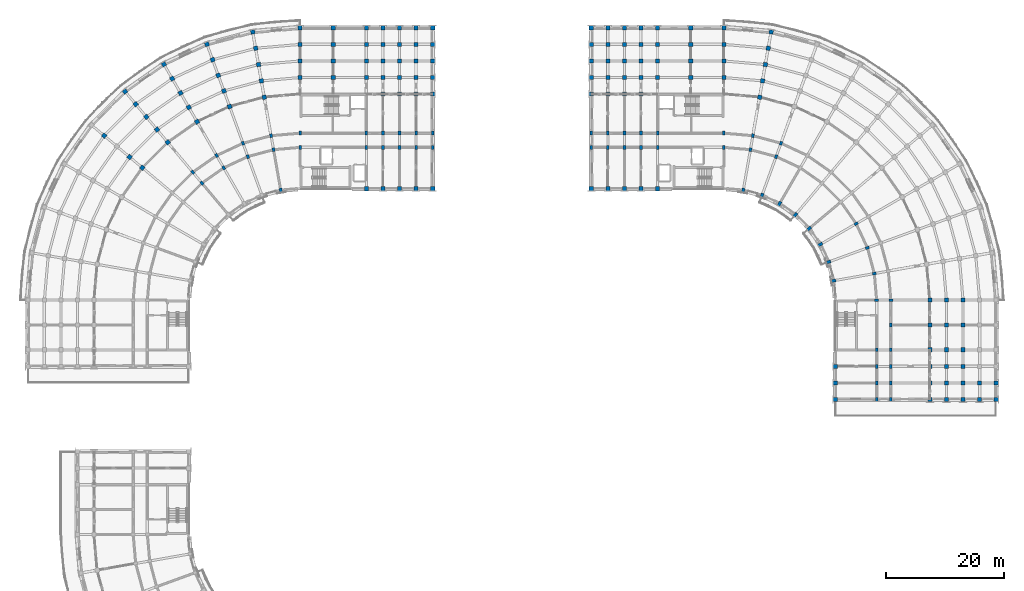
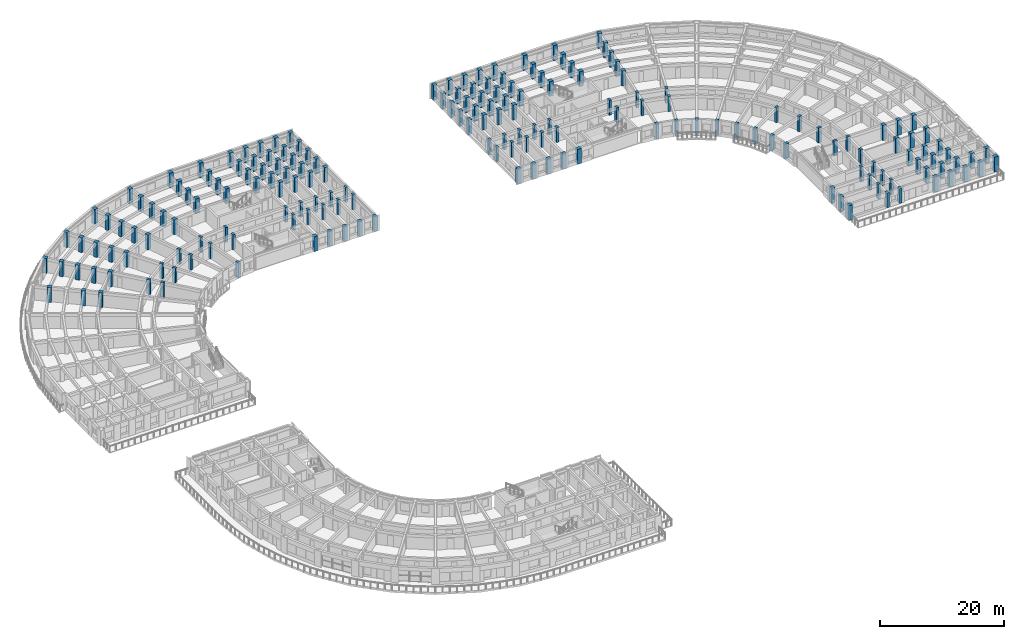
# One storey, part 2 of 54: 186 columns.
"""IFC4 building model written with IfcOpenShell, lengths in metres."""

from ifc_helpers import new_model, si_unit, direction, frame, origin, origin_2d, place, context, subcontext, project, spatial, rectangle, extrude, material, material_profile, profile_set, type_object, element, save


model = new_model("IFC4")

# Units and contexts
model_context = context("Model", 3, precision=1e-05, world=origin(), true_north=direction((0.0, 1.0)))
body_context = subcontext(model_context, "Body", "Model", "MODEL_VIEW")
ifc_project = project(units=[si_unit("LENGTHUNIT", "METRE"), si_unit("AREAUNIT", "SQUARE_METRE"), si_unit("VOLUMEUNIT", "CUBIC_METRE"), si_unit("PLANEANGLEUNIT", "RADIAN"), si_unit("MASSUNIT", "GRAM", prefix="KILO")], contexts=[model_context])

# Site, building, storey
site_placement = place(None, origin())
site = spatial("IfcSite", under=ifc_project, at=site_placement, CompositionType="ELEMENT")
building_placement = place(site_placement, origin())
building = spatial("IfcBuilding", under=site, at=building_placement, Name="Kiranvali Square Residences", CompositionType="ELEMENT")
storey_placement = place(building_placement, frame((0.0, 0.0, 27.60009765625)))
storey = spatial("IfcBuildingStorey", under=building, at=storey_placement, Name="L08", CompositionType="ELEMENT", Elevation=27.60009765625)

# Columns
ifc_material_1 = material(Name="Concrete M40 (40 MPa)", Category="concrete")
ifc_material_profile_1 = material_profile(ifc_material_1, rectangle(XDim=0.449951171875, YDim=0.64990234375, at=origin_2d()), Name="RC 650x450")
ifc_profile_set_1 = profile_set([ifc_material_profile_1], Name="Concrete M40 (40 MPa)")
column_type_1 = type_object("IfcColumnType", Name="COL-M40-650x450", PredefinedType="COLUMN", material=ifc_profile_set_1)
for number, where, z_axis, x_axis, name in (
    (1, (48.199951171875, 113.60009765625, 0.0), (0.0, 0.0, 1.0), (1.0, 0.0, 0.0), "Block A L08 radial column A00-R1"),
    (2, (48.199951171875, 116.0, 0.0), (0.0, 0.0, 1.0), (1.0, 0.0, 0.0), "Block A L08 radial column A00-R2"),
    (3, (43.719970703125, 113.2080078125, 0.0), (0.0, 0.0, 1.0), (0.984807753012, 0.173648177667, 0.0), "Block A L08 radial column A01-R1"),
    (4, (43.30322265625, 115.571533203125, 0.0), (0.0, 0.0, 1.0), (0.984807753012, 0.173648177667, 0.0), "Block A L08 radial column A01-R2"),
    (5, (39.3759765625, 112.044189453125, 0.0), (0.0, 0.0, 1.0), (0.939692620786, 0.342020143326, 0.0), "Block A L08 radial column A02-R1"),
    (6, (38.554931640625, 114.29931640625, 0.0), (0.0, 0.0, 1.0), (0.939692620786, 0.342020143326, 0.0), "Block A L08 radial column A02-R2"),
    (7, (35.300048828125, 110.1435546875, 0.0), (0.0, 0.0, 1.0), (0.866025403784, 0.5, 0.0), "Block A L08 radial column A03-R1"),
    (8, (34.10009765625, 112.221923828125, 0.0), (0.0, 0.0, 1.0), (0.866025403784, 0.5, 0.0), "Block A L08 radial column A03-R2"),
    (9, (31.615966796875, 107.56396484375, 0.0), (0.0, 0.0, 1.0), (0.766044443119, 0.642787609687, 0.0), "Block A L08 radial column A04-R1"),
    (10, (30.073486328125, 109.40234375, 0.0), (0.0, 0.0, 1.0), (0.766044443119, 0.642787609687, 0.0), "Block A L08 radial column A04-R2"),
    (11, (59.39990234375, 113.60009765625, 0.0), (0.0, 0.0, 1.0), (1.0, 0.0, 0.0), "Block A L08 Arm 1 column U1-R1"),
    (12, (59.39990234375, 116.0, 0.0), (0.0, 0.0, 1.0), (1.0, 0.0, 0.0), "Block A L08 Arm 1 column U1-R2"),
    (13, (62.199951171875, 113.60009765625, 0.0), (0.0, 0.0, 1.0), (1.0, 0.0, 0.0), "Block A L08 Arm 1 column U2-R1"),
    (14, (62.199951171875, 116.0, 0.0), (0.0, 0.0, 1.0), (1.0, 0.0, 0.0), "Block A L08 Arm 1 column U2-R2"),
    (15, (65.0, 113.60009765625, 0.0), (0.0, 0.0, 1.0), (1.0, 0.0, 0.0), "Block A L08 Arm 1 column U3-R1"),
    (16, (65.0, 116.0, 0.0), (0.0, 0.0, 1.0), (1.0, 0.0, 0.0), "Block A L08 Arm 1 column U3-R2"),
    (17, (67.800048828125, 113.60009765625, 0.0), (0.0, 0.0, 1.0), (1.0, 0.0, 0.0), "Block A L08 Arm 1 column U4-R1"),
    (18, (67.800048828125, 116.0, 0.0), (0.0, 0.0, 1.0), (1.0, 0.0, 0.0), "Block A L08 Arm 1 column U4-R2"),
    (19, (70.60009765625, 113.60009765625, 0.0), (0.0, 0.0, 1.0), (1.0, 0.0, 0.0), "Block A L08 Arm 1 column U5-R1"),
    (20, (70.60009765625, 116.0, 0.0), (0.0, 0.0, 1.0), (1.0, 0.0, 0.0), "Block A L08 Arm 1 column U5-R2"),
    (21, (119.800048828125, 113.60009765625, 0.0), (0.0, 0.0, 1.0), (1.0, 0.0, 0.0), "Block B L08 radial column A00-R1"),
    (22, (119.800048828125, 116.0, 0.0), (0.0, 0.0, 1.0), (1.0, 0.0, 0.0), "Block B L08 radial column A00-R2"),
    (23, (124.280029296875, 113.2080078125, 0.0), (0.0, 0.0, 1.0), (-0.984807753012, 0.173648177667, 0.0), "Block B L08 radial column A01-R1"),
    (24, (124.69677734375, 115.571533203125, 0.0), (0.0, 0.0, 1.0), (-0.984807753012, 0.173648177667, 0.0), "Block B L08 radial column A01-R2"),
    (25, (128.6240234375, 112.044189453125, 0.0), (0.0, 0.0, 1.0), (-0.939692620786, 0.342020143326, 0.0), "Block B L08 radial column A02-R1"),
    (26, (129.445068359375, 114.29931640625, 0.0), (0.0, 0.0, 1.0), (-0.939692620786, 0.342020143326, 0.0), "Block B L08 radial column A02-R2"),
    (27, (142.1435546875, 100.699951171875, 0.0), (0.0, 0.0, 1.0), (-0.5, 0.866025403784, 0.0), "Block B L08 radial column A06-R1"),
    (28, (144.044189453125, 96.6240234375, 0.0), (0.0, 0.0, 1.0), (-0.342020143326, 0.939692620786, 0.0), "Block B L08 radial column A07-R1"),
    (29, (145.2080078125, 92.280029296875, 0.0), (0.0, 0.0, 1.0), (-0.173648177667, 0.984807753012, 0.0), "Block B L08 radial column A08-R1"),
    (30, (145.60009765625, 87.800048828125, 0.0), (0.0, 0.0, 1.0), (0.0, 1.0, 0.0), "Block B L08 radial column A09-R1"),
    (31, (148.0, 87.800048828125, 0.0), (0.0, 0.0, 1.0), (0.0, 1.0, 0.0), "Block B L08 radial column A09-R2"),
    (32, (108.60009765625, 113.60009765625, 0.0), (0.0, 0.0, 1.0), (1.0, 0.0, 0.0), "Block B L08 Arm 1 column U1-R1"),
    (33, (108.60009765625, 116.0, 0.0), (0.0, 0.0, 1.0), (1.0, 0.0, 0.0), "Block B L08 Arm 1 column U1-R2"),
    (34, (105.800048828125, 113.60009765625, 0.0), (0.0, 0.0, 1.0), (1.0, 0.0, 0.0), "Block B L08 Arm 1 column U2-R1"),
    (35, (105.800048828125, 116.0, 0.0), (0.0, 0.0, 1.0), (1.0, 0.0, 0.0), "Block B L08 Arm 1 column U2-R2"),
    (36, (103.0, 113.60009765625, 0.0), (0.0, 0.0, 1.0), (1.0, 0.0, 0.0), "Block B L08 Arm 1 column U3-R1"),
    (37, (103.0, 116.0, 0.0), (0.0, 0.0, 1.0), (1.0, 0.0, 0.0), "Block B L08 Arm 1 column U3-R2"),
    (38, (100.199951171875, 113.60009765625, 0.0), (0.0, 0.0, 1.0), (1.0, 0.0, 0.0), "Block B L08 Arm 1 column U4-R1"),
    (39, (100.199951171875, 116.0, 0.0), (0.0, 0.0, 1.0), (1.0, 0.0, 0.0), "Block B L08 Arm 1 column U4-R2"),
    (40, (97.39990234375, 113.60009765625, 0.0), (0.0, 0.0, 1.0), (1.0, 0.0, 0.0), "Block B L08 Arm 1 column U5-R1"),
    (41, (97.39990234375, 116.0, 0.0), (0.0, 0.0, 1.0), (1.0, 0.0, 0.0), "Block B L08 Arm 1 column U5-R2"),
    (42, (148.0, 83.60009765625, 0.0), (0.0, 0.0, 1.0), (1.0, 0.0, 0.0), "Block B L08 Arm 2 mid-core column V0-R2"),
    (43, (145.60009765625, 79.39990234375, 0.0), (0.0, 0.0, 1.0), (1.0, 0.0, 0.0), "Block B L08 Arm 2 column V1-R1"),
    (44, (148.0, 79.39990234375, 0.0), (0.0, 0.0, 1.0), (1.0, 0.0, 0.0), "Block B L08 Arm 2 column V1-R2"),
    (45, (145.60009765625, 76.60009765625, 0.0), (0.0, 0.0, 1.0), (1.0, 0.0, 0.0), "Block B L08 Arm 2 column V2-R1"),
    (46, (148.0, 76.60009765625, 0.0), (0.0, 0.0, 1.0), (1.0, 0.0, 0.0), "Block B L08 Arm 2 column V2-R2"),
    (47, (145.60009765625, 73.800048828125, 0.0), (0.0, 0.0, 1.0), (1.0, 0.0, 0.0), "Block B L08 Arm 2 column V3-R1"),
    (48, (148.0, 73.800048828125, 0.0), (0.0, 0.0, 1.0), (1.0, 0.0, 0.0), "Block B L08 Arm 2 column V3-R2"),
    (49, (145.60009765625, 71.0, 0.0), (0.0, 0.0, 1.0), (1.0, 0.0, 0.0), "Block B L08 Arm 2 column V4-R1"),
    (50, (148.0, 71.0, 0.0), (0.0, 0.0, 1.0), (1.0, 0.0, 0.0), "Block B L08 Arm 2 column V4-R2"),
):
    element("IfcColumn", number, at=place(storey_placement, frame(where, z_axis=z_axis, x_axis=x_axis)), inside=storey, type_object=column_type_1, Name=name, PredefinedType="COLUMN", context=body_context, shape_type="SweptSolid", body=[
        extrude(rectangle(XDim=0.449951171875, YDim=0.64990234375, at=origin_2d()), origin(), (0.0, 0.0, 1.0), 2.929931640625),
    ])
ifc_material_2 = material(Name="Concrete M45 (45 MPa)", Category="concrete")
ifc_material_profile_2 = material_profile(ifc_material_2, rectangle(XDim=0.699951171875, YDim=0.699951171875, at=origin_2d()), Name="RC 700x700")
ifc_profile_set_2 = profile_set([ifc_material_profile_2], Name="Concrete M45 (45 MPa)")
column_type_2 = type_object("IfcColumnType", Name="COL-M45-700", PredefinedType="COLUMN", material=ifc_profile_set_2)
for number, where, z_axis, x_axis, name in (
    (51, (48.199951171875, 125.39990234375, 0.0), (0.0, 0.0, 1.0), (1.0, 0.0, 0.0), "Block A L08 radial column A00-R4"),
    (52, (48.199951171875, 128.199951171875, 0.0), (0.0, 0.0, 1.0), (1.0, 0.0, 0.0), "Block A L08 radial column A00-R5"),
    (53, (48.199951171875, 131.0, 0.0), (0.0, 0.0, 1.0), (1.0, 0.0, 0.0), "Block A L08 radial column A00-R6"),
    (54, (48.199951171875, 133.800048828125, 0.0), (0.0, 0.0, 1.0), (1.0, 0.0, 0.0), "Block A L08 radial column A00-R7"),
    (55, (42.156982421875, 122.0712890625, 0.0), (0.0, 0.0, 1.0), (0.984807753012, 0.173648177667, 0.0), "Block A L08 radial column A01-R3"),
    (56, (41.6708984375, 124.828857421875, 0.0), (0.0, 0.0, 1.0), (0.984807753012, 0.173648177667, 0.0), "Block A L08 radial column A01-R4"),
    (57, (41.1845703125, 127.586181640625, 0.0), (0.0, 0.0, 1.0), (0.984807753012, 0.173648177667, 0.0), "Block A L08 radial column A01-R5"),
    (58, (40.698486328125, 130.34375, 0.0), (0.0, 0.0, 1.0), (0.984807753012, 0.173648177667, 0.0), "Block A L08 radial column A01-R6"),
    (59, (40.212158203125, 133.10107421875, 0.0), (0.0, 0.0, 1.0), (0.984807753012, 0.173648177667, 0.0), "Block A L08 radial column A01-R7"),
    (60, (36.297607421875, 120.501220703125, 0.0), (0.0, 0.0, 1.0), (0.939692620786, 0.342020143326, 0.0), "Block A L08 radial column A02-R3"),
    (61, (35.340087890625, 123.13232421875, 0.0), (0.0, 0.0, 1.0), (0.939692620786, 0.342020143326, 0.0), "Block A L08 radial column A02-R4"),
    (62, (34.38232421875, 125.763671875, 0.0), (0.0, 0.0, 1.0), (0.939692620786, 0.342020143326, 0.0), "Block A L08 radial column A02-R5"),
    (63, (33.4248046875, 128.394775390625, 0.0), (0.0, 0.0, 1.0), (0.939692620786, 0.342020143326, 0.0), "Block A L08 radial column A02-R6"),
    (64, (32.467041015625, 131.02587890625, 0.0), (0.0, 0.0, 1.0), (0.939692620786, 0.342020143326, 0.0), "Block A L08 radial column A02-R7"),
    (65, (30.800048828125, 117.937744140625, 0.0), (0.0, 0.0, 1.0), (0.866025403784, 0.5, 0.0), "Block A L08 radial column A03-R3"),
    (66, (29.39990234375, 120.362548828125, 0.0), (0.0, 0.0, 1.0), (0.866025403784, 0.5, 0.0), "Block A L08 radial column A03-R4"),
    (67, (28.0, 122.787353515625, 0.0), (0.0, 0.0, 1.0), (0.866025403784, 0.5, 0.0), "Block A L08 radial column A03-R5"),
    (68, (26.60009765625, 125.21240234375, 0.0), (0.0, 0.0, 1.0), (0.866025403784, 0.5, 0.0), "Block A L08 radial column A03-R6"),
    (69, (25.199951171875, 127.63720703125, 0.0), (0.0, 0.0, 1.0), (0.866025403784, 0.5, 0.0), "Block A L08 radial column A03-R7"),
    (70, (25.8310546875, 114.458251953125, 0.0), (0.0, 0.0, 1.0), (0.766044443119, 0.642787609687, 0.0), "Block A L08 radial column A04-R3"),
    (71, (24.03125, 116.603271484375, 0.0), (0.0, 0.0, 1.0), (0.766044443119, 0.642787609687, 0.0), "Block A L08 radial column A04-R4"),
    (72, (22.2314453125, 118.748291015625, 0.0), (0.0, 0.0, 1.0), (0.766044443119, 0.642787609687, 0.0), "Block A L08 radial column A04-R5"),
    (73, (20.431640625, 120.89306640625, 0.0), (0.0, 0.0, 1.0), (0.766044443119, 0.642787609687, 0.0), "Block A L08 radial column A04-R6"),
    (74, (18.6318359375, 123.0380859375, 0.0), (0.0, 0.0, 1.0), (0.766044443119, 0.642787609687, 0.0), "Block A L08 radial column A04-R7"),
    (75, (21.541748046875, 110.1689453125, 0.0), (0.0, 0.0, 1.0), (0.642787609687, 0.766044443119, 0.0), "Block A L08 radial column A05-R3"),
    (76, (19.396728515625, 111.96875, 0.0), (0.0, 0.0, 1.0), (0.642787609687, 0.766044443119, 0.0), "Block A L08 radial column A05-R4"),
    (77, (15.10693359375, 115.568359375, 0.0), (0.0, 0.0, 1.0), (0.642787609687, 0.766044443119, 0.0), "Block A L08 radial column A05-R6"),
    (78, (53.800048828125, 125.39990234375, 0.0), (0.0, 0.0, 1.0), (1.0, 0.0, 0.0), "Block A L08 core-front column U0-R4"),
    (79, (53.800048828125, 128.199951171875, 0.0), (0.0, 0.0, 1.0), (1.0, 0.0, 0.0), "Block A L08 core-front column U0-R5"),
    (80, (53.800048828125, 131.0, 0.0), (0.0, 0.0, 1.0), (1.0, 0.0, 0.0), "Block A L08 core-front column U0-R6"),
    (81, (53.800048828125, 133.800048828125, 0.0), (0.0, 0.0, 1.0), (1.0, 0.0, 0.0), "Block A L08 core-front column U0-R7"),
    (82, (59.39990234375, 106.60009765625, 0.0), (0.0, 0.0, 1.0), (1.0, 0.0, 0.0), "Block A L08 Arm 1 column U1-R0"),
    (83, (59.39990234375, 125.39990234375, 0.0), (0.0, 0.0, 1.0), (1.0, 0.0, 0.0), "Block A L08 Arm 1 column U1-R4"),
    (84, (59.39990234375, 128.199951171875, 0.0), (0.0, 0.0, 1.0), (1.0, 0.0, 0.0), "Block A L08 Arm 1 column U1-R5"),
    (85, (59.39990234375, 131.0, 0.0), (0.0, 0.0, 1.0), (1.0, 0.0, 0.0), "Block A L08 Arm 1 column U1-R6"),
    (86, (59.39990234375, 133.800048828125, 0.0), (0.0, 0.0, 1.0), (1.0, 0.0, 0.0), "Block A L08 Arm 1 column U1-R7"),
    (87, (62.199951171875, 106.60009765625, 0.0), (0.0, 0.0, 1.0), (1.0, 0.0, 0.0), "Block A L08 Arm 1 column U2-R0"),
    (88, (62.199951171875, 122.60009765625, 0.0), (0.0, 0.0, 1.0), (1.0, 0.0, 0.0), "Block A L08 Arm 1 column U2-R3"),
    (89, (62.199951171875, 125.39990234375, 0.0), (0.0, 0.0, 1.0), (1.0, 0.0, 0.0), "Block A L08 Arm 1 column U2-R4"),
    (90, (62.199951171875, 128.199951171875, 0.0), (0.0, 0.0, 1.0), (1.0, 0.0, 0.0), "Block A L08 Arm 1 column U2-R5"),
    (91, (62.199951171875, 131.0, 0.0), (0.0, 0.0, 1.0), (1.0, 0.0, 0.0), "Block A L08 Arm 1 column U2-R6"),
    (92, (62.199951171875, 133.800048828125, 0.0), (0.0, 0.0, 1.0), (1.0, 0.0, 0.0), "Block A L08 Arm 1 column U2-R7"),
    (93, (65.0, 106.60009765625, 0.0), (0.0, 0.0, 1.0), (1.0, 0.0, 0.0), "Block A L08 Arm 1 column U3-R0"),
    (94, (65.0, 122.60009765625, 0.0), (0.0, 0.0, 1.0), (1.0, 0.0, 0.0), "Block A L08 Arm 1 column U3-R3"),
    (95, (65.0, 125.39990234375, 0.0), (0.0, 0.0, 1.0), (1.0, 0.0, 0.0), "Block A L08 Arm 1 column U3-R4"),
    (96, (65.0, 128.199951171875, 0.0), (0.0, 0.0, 1.0), (1.0, 0.0, 0.0), "Block A L08 Arm 1 column U3-R5"),
    (97, (65.0, 131.0, 0.0), (0.0, 0.0, 1.0), (1.0, 0.0, 0.0), "Block A L08 Arm 1 column U3-R6"),
    (98, (65.0, 133.800048828125, 0.0), (0.0, 0.0, 1.0), (1.0, 0.0, 0.0), "Block A L08 Arm 1 column U3-R7"),
    (99, (67.800048828125, 106.60009765625, 0.0), (0.0, 0.0, 1.0), (1.0, 0.0, 0.0), "Block A L08 Arm 1 column U4-R0"),
    (100, (67.800048828125, 122.60009765625, 0.0), (0.0, 0.0, 1.0), (1.0, 0.0, 0.0), "Block A L08 Arm 1 column U4-R3"),
    (101, (67.800048828125, 125.39990234375, 0.0), (0.0, 0.0, 1.0), (1.0, 0.0, 0.0), "Block A L08 Arm 1 column U4-R4"),
    (102, (67.800048828125, 128.199951171875, 0.0), (0.0, 0.0, 1.0), (1.0, 0.0, 0.0), "Block A L08 Arm 1 column U4-R5"),
    (103, (67.800048828125, 131.0, 0.0), (0.0, 0.0, 1.0), (1.0, 0.0, 0.0), "Block A L08 Arm 1 column U4-R6"),
    (104, (67.800048828125, 133.800048828125, 0.0), (0.0, 0.0, 1.0), (1.0, 0.0, 0.0), "Block A L08 Arm 1 column U4-R7"),
    (105, (70.60009765625, 106.60009765625, 0.0), (0.0, 0.0, 1.0), (1.0, 0.0, 0.0), "Block A L08 Arm 1 column U5-R0"),
    (106, (70.60009765625, 122.60009765625, 0.0), (0.0, 0.0, 1.0), (1.0, 0.0, 0.0), "Block A L08 Arm 1 column U5-R3"),
    (107, (70.60009765625, 125.39990234375, 0.0), (0.0, 0.0, 1.0), (1.0, 0.0, 0.0), "Block A L08 Arm 1 column U5-R4"),
    (108, (70.60009765625, 128.199951171875, 0.0), (0.0, 0.0, 1.0), (1.0, 0.0, 0.0), "Block A L08 Arm 1 column U5-R5"),
    (109, (70.60009765625, 131.0, 0.0), (0.0, 0.0, 1.0), (1.0, 0.0, 0.0), "Block A L08 Arm 1 column U5-R6"),
    (110, (70.60009765625, 133.800048828125, 0.0), (0.0, 0.0, 1.0), (1.0, 0.0, 0.0), "Block A L08 Arm 1 column U5-R7"),
    (111, (119.800048828125, 125.39990234375, 0.0), (0.0, 0.0, 1.0), (1.0, 0.0, 0.0), "Block B L08 radial column A00-R4"),
    (112, (119.800048828125, 128.199951171875, 0.0), (0.0, 0.0, 1.0), (1.0, 0.0, 0.0), "Block B L08 radial column A00-R5"),
    (113, (119.800048828125, 131.0, 0.0), (0.0, 0.0, 1.0), (1.0, 0.0, 0.0), "Block B L08 radial column A00-R6"),
):
    element("IfcColumn", number, at=place(storey_placement, frame(where, z_axis=z_axis, x_axis=x_axis)), inside=storey, type_object=column_type_2, Name=name, PredefinedType="COLUMN", context=body_context, shape_type="SweptSolid", body=[
        extrude(rectangle(XDim=0.699951171875, YDim=0.699951171875, at=origin_2d()), origin(), (0.0, 0.0, 1.0), 2.929931640625),
    ])
column_1_placement = place(storey_placement, frame((119.800048828125, 133.800048828125, 0.0), z_axis=(0.0, 0.0, 1.0), x_axis=(1.0, 0.0, 0.0)))
element("IfcColumn", 114, at=column_1_placement, inside=storey, type_object=column_type_2, Name="Block B L08 radial column A00-R7", PredefinedType="COLUMN", context=body_context, shape_type="SweptSolid", body=[
    extrude(rectangle(XDim=0.699951171875, YDim=0.699951171875, at=origin_2d()), origin(), (0.0, 0.0, 1.0), 2.969970703125),
])
for number, where, z_axis, x_axis, name in (
    (115, (125.843017578125, 122.0712890625, 0.0), (0.0, 0.0, 1.0), (-0.984807753012, 0.173648177667, 0.0), "Block B L08 radial column A01-R3"),
    (116, (126.3291015625, 124.828857421875, 0.0), (0.0, 0.0, 1.0), (-0.984807753012, 0.173648177667, 0.0), "Block B L08 radial column A01-R4"),
    (117, (126.8154296875, 127.586181640625, 0.0), (0.0, 0.0, 1.0), (-0.984807753012, 0.173648177667, 0.0), "Block B L08 radial column A01-R5"),
    (118, (127.301513671875, 130.34375, 0.0), (0.0, 0.0, 1.0), (-0.984807753012, 0.173648177667, 0.0), "Block B L08 radial column A01-R6"),
):
    element("IfcColumn", number, at=place(storey_placement, frame(where, z_axis=z_axis, x_axis=x_axis)), inside=storey, type_object=column_type_2, Name=name, PredefinedType="COLUMN", context=body_context, shape_type="SweptSolid", body=[
        extrude(rectangle(XDim=0.699951171875, YDim=0.699951171875, at=origin_2d()), origin(), (0.0, 0.0, 1.0), 2.929931640625),
    ])
column_2_placement = place(storey_placement, frame((127.787841796875, 133.10107421875, 0.0), z_axis=(0.0, 0.0, 1.0), x_axis=(-0.984807753012, 0.173648177667, 0.0)))
element("IfcColumn", 119, at=column_2_placement, inside=storey, type_object=column_type_2, Name="Block B L08 radial column A01-R7", PredefinedType="COLUMN", context=body_context, shape_type="SweptSolid", body=[
    extrude(rectangle(XDim=0.699951171875, YDim=0.699951171875, at=origin_2d()), origin(), (0.0, 0.0, 1.0), 2.969970703125),
])
for number, where, z_axis, x_axis, name in (
    (120, (154.60009765625, 87.800048828125, 0.0), (0.0, 0.0, 1.0), (0.0, 1.0, 0.0), "Block B L08 radial column A09-R3"),
    (121, (157.39990234375, 87.800048828125, 0.0), (0.0, 0.0, 1.0), (0.0, 1.0, 0.0), "Block B L08 radial column A09-R4"),
    (122, (160.199951171875, 87.800048828125, 0.0), (0.0, 0.0, 1.0), (0.0, 1.0, 0.0), "Block B L08 radial column A09-R5"),
    (123, (114.199951171875, 125.39990234375, 0.0), (0.0, 0.0, 1.0), (1.0, 0.0, 0.0), "Block B L08 core-front column U0-R4"),
    (124, (114.199951171875, 128.199951171875, 0.0), (0.0, 0.0, 1.0), (1.0, 0.0, 0.0), "Block B L08 core-front column U0-R5"),
    (125, (114.199951171875, 131.0, 0.0), (0.0, 0.0, 1.0), (1.0, 0.0, 0.0), "Block B L08 core-front column U0-R6"),
):
    element("IfcColumn", number, at=place(storey_placement, frame(where, z_axis=z_axis, x_axis=x_axis)), inside=storey, type_object=column_type_2, Name=name, PredefinedType="COLUMN", context=body_context, shape_type="SweptSolid", body=[
        extrude(rectangle(XDim=0.699951171875, YDim=0.699951171875, at=origin_2d()), origin(), (0.0, 0.0, 1.0), 2.929931640625),
    ])
column_3_placement = place(storey_placement, frame((114.199951171875, 133.800048828125, 0.0), z_axis=(0.0, 0.0, 1.0), x_axis=(1.0, 0.0, 0.0)))
element("IfcColumn", 126, at=column_3_placement, inside=storey, type_object=column_type_2, Name="Block B L08 core-front column U0-R7", PredefinedType="COLUMN", context=body_context, shape_type="SweptSolid", body=[
    extrude(rectangle(XDim=0.699951171875, YDim=0.699951171875, at=origin_2d()), origin(), (0.0, 0.0, 1.0), 2.969970703125),
])
for number, where, z_axis, x_axis, name in (
    (127, (108.60009765625, 106.60009765625, 0.0), (0.0, 0.0, 1.0), (1.0, 0.0, 0.0), "Block B L08 Arm 1 column U1-R0"),
    (128, (108.60009765625, 125.39990234375, 0.0), (0.0, 0.0, 1.0), (1.0, 0.0, 0.0), "Block B L08 Arm 1 column U1-R4"),
    (129, (108.60009765625, 128.199951171875, 0.0), (0.0, 0.0, 1.0), (1.0, 0.0, 0.0), "Block B L08 Arm 1 column U1-R5"),
    (130, (108.60009765625, 131.0, 0.0), (0.0, 0.0, 1.0), (1.0, 0.0, 0.0), "Block B L08 Arm 1 column U1-R6"),
):
    element("IfcColumn", number, at=place(storey_placement, frame(where, z_axis=z_axis, x_axis=x_axis)), inside=storey, type_object=column_type_2, Name=name, PredefinedType="COLUMN", context=body_context, shape_type="SweptSolid", body=[
        extrude(rectangle(XDim=0.699951171875, YDim=0.699951171875, at=origin_2d()), origin(), (0.0, 0.0, 1.0), 2.929931640625),
    ])
column_4_placement = place(storey_placement, frame((108.60009765625, 133.800048828125, 0.0), z_axis=(0.0, 0.0, 1.0), x_axis=(1.0, 0.0, 0.0)))
element("IfcColumn", 131, at=column_4_placement, inside=storey, type_object=column_type_2, Name="Block B L08 Arm 1 column U1-R7", PredefinedType="COLUMN", context=body_context, shape_type="SweptSolid", body=[
    extrude(rectangle(XDim=0.699951171875, YDim=0.699951171875, at=origin_2d()), origin(), (0.0, 0.0, 1.0), 2.969970703125),
])
for number, where, z_axis, x_axis, name in (
    (132, (105.800048828125, 106.60009765625, 0.0), (0.0, 0.0, 1.0), (1.0, 0.0, 0.0), "Block B L08 Arm 1 column U2-R0"),
    (133, (105.800048828125, 122.60009765625, 0.0), (0.0, 0.0, 1.0), (1.0, 0.0, 0.0), "Block B L08 Arm 1 column U2-R3"),
    (134, (105.800048828125, 125.39990234375, 0.0), (0.0, 0.0, 1.0), (1.0, 0.0, 0.0), "Block B L08 Arm 1 column U2-R4"),
    (135, (105.800048828125, 128.199951171875, 0.0), (0.0, 0.0, 1.0), (1.0, 0.0, 0.0), "Block B L08 Arm 1 column U2-R5"),
    (136, (105.800048828125, 131.0, 0.0), (0.0, 0.0, 1.0), (1.0, 0.0, 0.0), "Block B L08 Arm 1 column U2-R6"),
):
    element("IfcColumn", number, at=place(storey_placement, frame(where, z_axis=z_axis, x_axis=x_axis)), inside=storey, type_object=column_type_2, Name=name, PredefinedType="COLUMN", context=body_context, shape_type="SweptSolid", body=[
        extrude(rectangle(XDim=0.699951171875, YDim=0.699951171875, at=origin_2d()), origin(), (0.0, 0.0, 1.0), 2.929931640625),
    ])
column_5_placement = place(storey_placement, frame((105.800048828125, 133.800048828125, 0.0), z_axis=(0.0, 0.0, 1.0), x_axis=(1.0, 0.0, 0.0)))
element("IfcColumn", 137, at=column_5_placement, inside=storey, type_object=column_type_2, Name="Block B L08 Arm 1 column U2-R7", PredefinedType="COLUMN", context=body_context, shape_type="SweptSolid", body=[
    extrude(rectangle(XDim=0.699951171875, YDim=0.699951171875, at=origin_2d()), origin(), (0.0, 0.0, 1.0), 2.969970703125),
])
for number, where, z_axis, x_axis, name in (
    (138, (103.0, 106.60009765625, 0.0), (0.0, 0.0, 1.0), (1.0, 0.0, 0.0), "Block B L08 Arm 1 column U3-R0"),
    (139, (103.0, 122.60009765625, 0.0), (0.0, 0.0, 1.0), (1.0, 0.0, 0.0), "Block B L08 Arm 1 column U3-R3"),
    (140, (103.0, 125.39990234375, 0.0), (0.0, 0.0, 1.0), (1.0, 0.0, 0.0), "Block B L08 Arm 1 column U3-R4"),
    (141, (103.0, 128.199951171875, 0.0), (0.0, 0.0, 1.0), (1.0, 0.0, 0.0), "Block B L08 Arm 1 column U3-R5"),
    (142, (103.0, 131.0, 0.0), (0.0, 0.0, 1.0), (1.0, 0.0, 0.0), "Block B L08 Arm 1 column U3-R6"),
):
    element("IfcColumn", number, at=place(storey_placement, frame(where, z_axis=z_axis, x_axis=x_axis)), inside=storey, type_object=column_type_2, Name=name, PredefinedType="COLUMN", context=body_context, shape_type="SweptSolid", body=[
        extrude(rectangle(XDim=0.699951171875, YDim=0.699951171875, at=origin_2d()), origin(), (0.0, 0.0, 1.0), 2.929931640625),
    ])
column_6_placement = place(storey_placement, frame((103.0, 133.800048828125, 0.0), z_axis=(0.0, 0.0, 1.0), x_axis=(1.0, 0.0, 0.0)))
element("IfcColumn", 143, at=column_6_placement, inside=storey, type_object=column_type_2, Name="Block B L08 Arm 1 column U3-R7", PredefinedType="COLUMN", context=body_context, shape_type="SweptSolid", body=[
    extrude(rectangle(XDim=0.699951171875, YDim=0.699951171875, at=origin_2d()), origin(), (0.0, 0.0, 1.0), 2.969970703125),
])
for number, where, z_axis, x_axis, name in (
    (144, (100.199951171875, 106.60009765625, 0.0), (0.0, 0.0, 1.0), (1.0, 0.0, 0.0), "Block B L08 Arm 1 column U4-R0"),
    (145, (100.199951171875, 122.60009765625, 0.0), (0.0, 0.0, 1.0), (1.0, 0.0, 0.0), "Block B L08 Arm 1 column U4-R3"),
    (146, (100.199951171875, 125.39990234375, 0.0), (0.0, 0.0, 1.0), (1.0, 0.0, 0.0), "Block B L08 Arm 1 column U4-R4"),
    (147, (100.199951171875, 128.199951171875, 0.0), (0.0, 0.0, 1.0), (1.0, 0.0, 0.0), "Block B L08 Arm 1 column U4-R5"),
    (148, (100.199951171875, 131.0, 0.0), (0.0, 0.0, 1.0), (1.0, 0.0, 0.0), "Block B L08 Arm 1 column U4-R6"),
):
    element("IfcColumn", number, at=place(storey_placement, frame(where, z_axis=z_axis, x_axis=x_axis)), inside=storey, type_object=column_type_2, Name=name, PredefinedType="COLUMN", context=body_context, shape_type="SweptSolid", body=[
        extrude(rectangle(XDim=0.699951171875, YDim=0.699951171875, at=origin_2d()), origin(), (0.0, 0.0, 1.0), 2.929931640625),
    ])
column_7_placement = place(storey_placement, frame((100.199951171875, 133.800048828125, 0.0), z_axis=(0.0, 0.0, 1.0), x_axis=(1.0, 0.0, 0.0)))
element("IfcColumn", 149, at=column_7_placement, inside=storey, type_object=column_type_2, Name="Block B L08 Arm 1 column U4-R7", PredefinedType="COLUMN", context=body_context, shape_type="SweptSolid", body=[
    extrude(rectangle(XDim=0.699951171875, YDim=0.699951171875, at=origin_2d()), origin(), (0.0, 0.0, 1.0), 2.969970703125),
])
for number, where, z_axis, x_axis, name in (
    (150, (97.39990234375, 106.60009765625, 0.0), (0.0, 0.0, 1.0), (1.0, 0.0, 0.0), "Block B L08 Arm 1 column U5-R0"),
    (151, (97.39990234375, 122.60009765625, 0.0), (0.0, 0.0, 1.0), (1.0, 0.0, 0.0), "Block B L08 Arm 1 column U5-R3"),
    (152, (97.39990234375, 125.39990234375, 0.0), (0.0, 0.0, 1.0), (1.0, 0.0, 0.0), "Block B L08 Arm 1 column U5-R4"),
    (153, (97.39990234375, 128.199951171875, 0.0), (0.0, 0.0, 1.0), (1.0, 0.0, 0.0), "Block B L08 Arm 1 column U5-R5"),
    (154, (97.39990234375, 131.0, 0.0), (0.0, 0.0, 1.0), (1.0, 0.0, 0.0), "Block B L08 Arm 1 column U5-R6"),
):
    element("IfcColumn", number, at=place(storey_placement, frame(where, z_axis=z_axis, x_axis=x_axis)), inside=storey, type_object=column_type_2, Name=name, PredefinedType="COLUMN", context=body_context, shape_type="SweptSolid", body=[
        extrude(rectangle(XDim=0.699951171875, YDim=0.699951171875, at=origin_2d()), origin(), (0.0, 0.0, 1.0), 2.929931640625),
    ])
column_8_placement = place(storey_placement, frame((97.39990234375, 133.800048828125, 0.0), z_axis=(0.0, 0.0, 1.0), x_axis=(1.0, 0.0, 0.0)))
element("IfcColumn", 155, at=column_8_placement, inside=storey, type_object=column_type_2, Name="Block B L08 Arm 1 column U5-R7", PredefinedType="COLUMN", context=body_context, shape_type="SweptSolid", body=[
    extrude(rectangle(XDim=0.699951171875, YDim=0.699951171875, at=origin_2d()), origin(), (0.0, 0.0, 1.0), 2.969970703125),
])
for number, where, z_axis, x_axis, name in (
    (156, (154.60009765625, 83.60009765625, 0.0), (0.0, 0.0, 1.0), (1.0, 0.0, 0.0), "Block B L08 Arm 2 mid-core column V0-R3"),
    (157, (157.39990234375, 83.60009765625, 0.0), (0.0, 0.0, 1.0), (1.0, 0.0, 0.0), "Block B L08 Arm 2 mid-core column V0-R4"),
    (158, (160.199951171875, 83.60009765625, 0.0), (0.0, 0.0, 1.0), (1.0, 0.0, 0.0), "Block B L08 Arm 2 mid-core column V0-R5"),
    (159, (154.60009765625, 79.39990234375, 0.0), (0.0, 0.0, 1.0), (1.0, 0.0, 0.0), "Block B L08 Arm 2 column V1-R3"),
    (160, (157.39990234375, 79.39990234375, 0.0), (0.0, 0.0, 1.0), (1.0, 0.0, 0.0), "Block B L08 Arm 2 column V1-R4"),
    (161, (160.199951171875, 79.39990234375, 0.0), (0.0, 0.0, 1.0), (1.0, 0.0, 0.0), "Block B L08 Arm 2 column V1-R5"),
    (162, (138.60009765625, 76.60009765625, 0.0), (0.0, 0.0, 1.0), (1.0, 0.0, 0.0), "Block B L08 Arm 2 column V2-R0"),
    (163, (154.60009765625, 76.60009765625, 0.0), (0.0, 0.0, 1.0), (1.0, 0.0, 0.0), "Block B L08 Arm 2 column V2-R3"),
    (164, (157.39990234375, 76.60009765625, 0.0), (0.0, 0.0, 1.0), (1.0, 0.0, 0.0), "Block B L08 Arm 2 column V2-R4"),
    (165, (160.199951171875, 76.60009765625, 0.0), (0.0, 0.0, 1.0), (1.0, 0.0, 0.0), "Block B L08 Arm 2 column V2-R5"),
    (166, (138.60009765625, 73.800048828125, 0.0), (0.0, 0.0, 1.0), (1.0, 0.0, 0.0), "Block B L08 Arm 2 column V3-R0"),
    (167, (154.60009765625, 73.800048828125, 0.0), (0.0, 0.0, 1.0), (1.0, 0.0, 0.0), "Block B L08 Arm 2 column V3-R3"),
    (168, (157.39990234375, 73.800048828125, 0.0), (0.0, 0.0, 1.0), (1.0, 0.0, 0.0), "Block B L08 Arm 2 column V3-R4"),
    (169, (160.199951171875, 73.800048828125, 0.0), (0.0, 0.0, 1.0), (1.0, 0.0, 0.0), "Block B L08 Arm 2 column V3-R5"),
    (170, (163.0, 73.800048828125, 0.0), (0.0, 0.0, 1.0), (1.0, 0.0, 0.0), "Block B L08 Arm 2 column V3-R6"),
):
    element("IfcColumn", number, at=place(storey_placement, frame(where, z_axis=z_axis, x_axis=x_axis)), inside=storey, type_object=column_type_2, Name=name, PredefinedType="COLUMN", context=body_context, shape_type="SweptSolid", body=[
        extrude(rectangle(XDim=0.699951171875, YDim=0.699951171875, at=origin_2d()), origin(), (0.0, 0.0, 1.0), 2.929931640625),
    ])
column_9_placement = place(storey_placement, frame((165.800048828125, 73.800048828125, 0.0), z_axis=(0.0, 0.0, 1.0), x_axis=(1.0, 0.0, 0.0)))
element("IfcColumn", 171, at=column_9_placement, inside=storey, type_object=column_type_2, Name="Block B L08 Arm 2 column V3-R7", PredefinedType="COLUMN", context=body_context, shape_type="SweptSolid", body=[
    extrude(rectangle(XDim=0.699951171875, YDim=0.699951171875, at=origin_2d()), origin(), (0.0, 0.0, 1.0), 2.969970703125),
])
for number, where, z_axis, x_axis, name in (
    (172, (138.60009765625, 71.0, 0.0), (0.0, 0.0, 1.0), (1.0, 0.0, 0.0), "Block B L08 Arm 2 column V4-R0"),
    (173, (154.60009765625, 71.0, 0.0), (0.0, 0.0, 1.0), (1.0, 0.0, 0.0), "Block B L08 Arm 2 column V4-R3"),
    (174, (157.39990234375, 71.0, 0.0), (0.0, 0.0, 1.0), (1.0, 0.0, 0.0), "Block B L08 Arm 2 column V4-R4"),
    (175, (160.199951171875, 71.0, 0.0), (0.0, 0.0, 1.0), (1.0, 0.0, 0.0), "Block B L08 Arm 2 column V4-R5"),
    (176, (163.0, 71.0, 0.0), (0.0, 0.0, 1.0), (1.0, 0.0, 0.0), "Block B L08 Arm 2 column V4-R6"),
):
    element("IfcColumn", number, at=place(storey_placement, frame(where, z_axis=z_axis, x_axis=x_axis)), inside=storey, type_object=column_type_2, Name=name, PredefinedType="COLUMN", context=body_context, shape_type="SweptSolid", body=[
        extrude(rectangle(XDim=0.699951171875, YDim=0.699951171875, at=origin_2d()), origin(), (0.0, 0.0, 1.0), 2.929931640625),
    ])
column_10_placement = place(storey_placement, frame((165.800048828125, 71.0, 0.0), z_axis=(0.0, 0.0, 1.0), x_axis=(1.0, 0.0, 0.0)))
element("IfcColumn", 177, at=column_10_placement, inside=storey, type_object=column_type_2, Name="Block B L08 Arm 2 column V4-R7", PredefinedType="COLUMN", context=body_context, shape_type="SweptSolid", body=[
    extrude(rectangle(XDim=0.699951171875, YDim=0.699951171875, at=origin_2d()), origin(), (0.0, 0.0, 1.0), 2.969970703125),
])
ifc_material_3 = material(Name="Concrete M50 (50 MPa)", Category="concrete")
ifc_material_profile_3 = material_profile(ifc_material_3, rectangle(XDim=0.5, YDim=0.800048828125, at=origin_2d()), Name="RC 800x500")
ifc_profile_set_3 = profile_set([ifc_material_profile_3], Name="Concrete M50 (50 MPa)")
column_type_3 = type_object("IfcColumnType", Name="COL-M50-800x500", PredefinedType="COLUMN", material=ifc_profile_set_3)
for number, where, z_axis, x_axis, name in (
    (178, (44.935302734375, 106.314453125, 0.0), (0.0, 0.0, 1.0), (0.984807753012, 0.173648177667, 0.0), "Block A L08 radial column A01-R0"),
    (179, (123.064697265625, 106.314453125, 0.0), (0.0, 0.0, 1.0), (-0.984807753012, 0.173648177667, 0.0), "Block B L08 radial column A01-R0"),
    (180, (126.22998046875, 105.46630859375, 0.0), (0.0, 0.0, 1.0), (-0.939692620786, 0.342020143326, 0.0), "Block B L08 radial column A02-R0"),
    (181, (129.199951171875, 104.081298828125, 0.0), (0.0, 0.0, 1.0), (-0.866025403784, 0.5, 0.0), "Block B L08 radial column A03-R0"),
    (182, (131.884521484375, 102.20166015625, 0.0), (0.0, 0.0, 1.0), (-0.766044443119, 0.642787609687, 0.0), "Block B L08 radial column A04-R0"),
    (183, (134.20166015625, 99.884521484375, 0.0), (0.0, 0.0, 1.0), (-0.642787609687, 0.766044443119, 0.0), "Block B L08 radial column A05-R0"),
    (184, (136.081298828125, 97.199951171875, 0.0), (0.0, 0.0, 1.0), (-0.5, 0.866025403784, 0.0), "Block B L08 radial column A06-R0"),
    (185, (137.46630859375, 94.22998046875, 0.0), (0.0, 0.0, 1.0), (-0.342020143326, 0.939692620786, 0.0), "Block B L08 radial column A07-R0"),
    (186, (138.314453125, 91.064697265625, 0.0), (0.0, 0.0, 1.0), (-0.173648177667, 0.984807753012, 0.0), "Block B L08 radial column A08-R0"),
):
    element("IfcColumn", number, at=place(storey_placement, frame(where, z_axis=z_axis, x_axis=x_axis)), inside=storey, type_object=column_type_3, Name=name, PredefinedType="COLUMN", context=body_context, shape_type="SweptSolid", body=[
        extrude(rectangle(XDim=0.5, YDim=0.800048828125, at=origin_2d()), origin(), (0.0, 0.0, 1.0), 2.929931640625),
    ])

save(model, "model.ifc")
